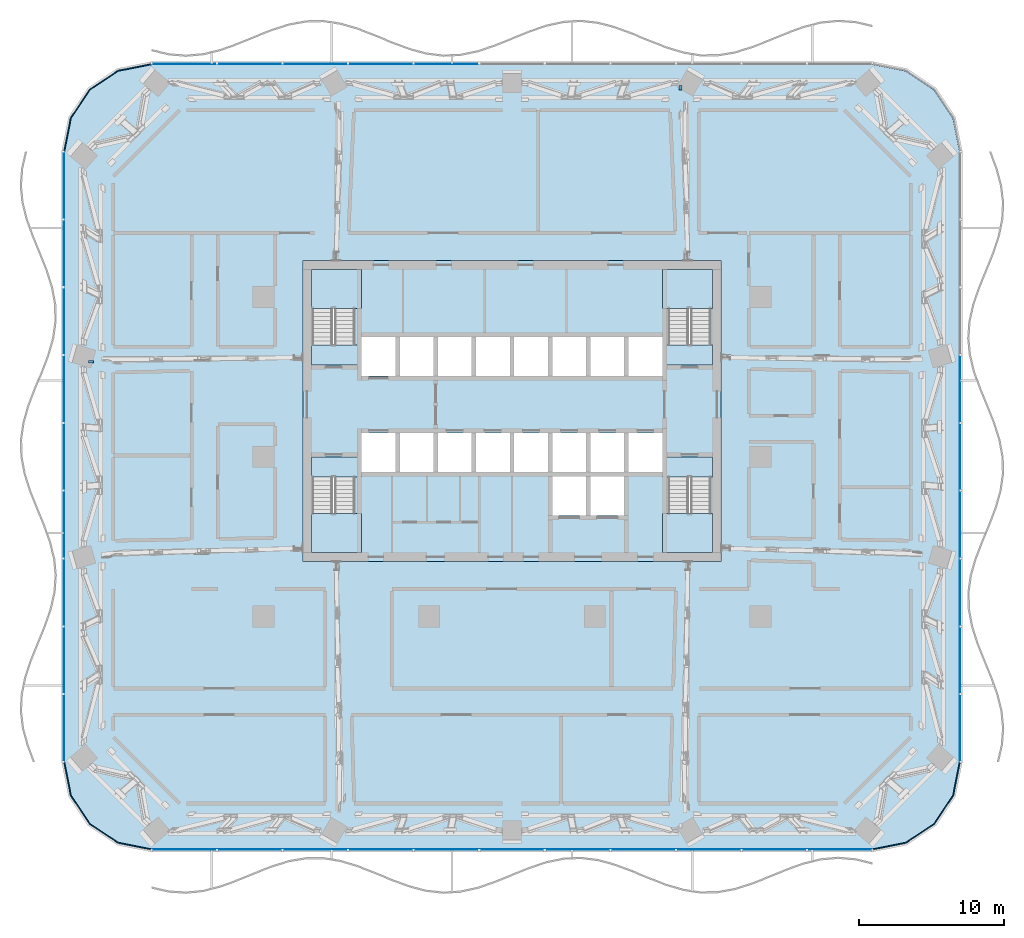
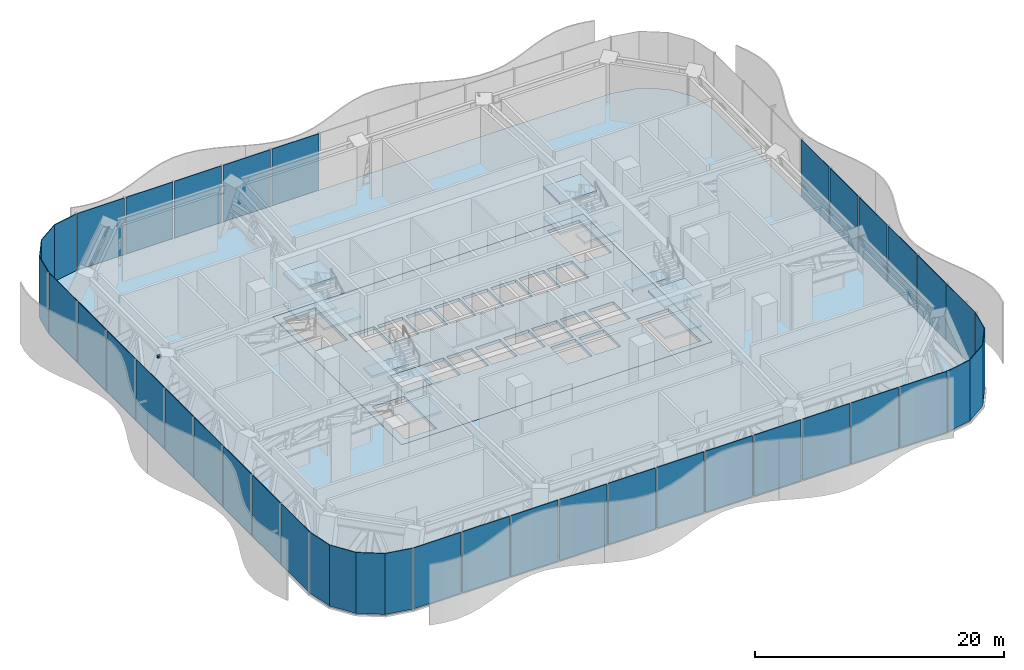
# One storey, part 9 of 32: 34 plates, 14 slabs, 2 beams, 11 elements without a shape of their own.
"""IFC4 building model written with IfcOpenShell, lengths in metres."""

import ifcopenshell
import ifcopenshell.guid

model = None  # the IFC model being written
_history = None  # IfcOwnerHistory: only IFC2X3 demands one
_inside = {}  # id of a spatial element -> (the spatial element, [elements in it])
_under = {}  # id of a project, library or spatial element -> (it, [spatial elements below it])
_declared = {}  # id of a project -> (the project, [libraries it declares])
_typed = {}  # id of a type object -> (the type object, [elements of that type])
_made_of = {}  # id of a material, layer set ... -> (it, [elements and type objects made of it])


def new_model(schema):
    """Start an empty IFC model of exactly this schema.

    Asked for "IFC4X3", IfcOpenShell would pick the latest addendum, in which some entities
    have other attributes; the version numbers below select the first issue.
    IFC2X3 requires an IfcOwnerHistory on every rooted entity: one is made here for all.
    """
    global model, _history
    if schema == "IFC4X3":
        model = ifcopenshell.file(schema_version=(4, 3, 0, 0))
    else:
        model = ifcopenshell.file(schema=schema)
    _inside.clear()
    _under.clear()
    _declared.clear()
    _typed.clear()
    _made_of.clear()
    _history = None
    if model.schema == "IFC2X3":
        org = make("IfcOrganization", Name="unknown")
        user = make(
            "IfcPersonAndOrganization",
            ThePerson=make("IfcPerson", FamilyName="unknown"),
            TheOrganization=org,
        )
        app = make(
            "IfcApplication",
            ApplicationDeveloper=org,
            Version="unknown",
            ApplicationFullName="unknown",
            ApplicationIdentifier="unknown",
        )
        _history = make(
            "IfcOwnerHistory",
            OwningUser=user,
            OwningApplication=app,
            ChangeAction="ADDED",
            CreationDate=0,
        )
    return model


def make(cls, **values):
    """One entity of the class cls with the attributes given. An attribute that is None is left unset."""
    return model.create_entity(
        cls, **{name: value for name, value in values.items() if value is not None}
    )


def rooted(cls, **values):
    """An entity with a GlobalId (a new one), such as an element, a storey or a relation."""
    return make(cls, GlobalId=ifcopenshell.guid.new(), OwnerHistory=_history, **values)


def si_unit(unit_type, name, prefix=None):
    """IfcSIUnit, for example si_unit("LENGTHUNIT", "METRE", prefix="MILLI")."""
    return make("IfcSIUnit", UnitType=unit_type, Prefix=prefix, Name=name)


def assignment(units):
    """IfcUnitAssignment: the units of a project."""
    return None if units is None else make("IfcUnitAssignment", Units=units)


def point(xyz):
    """IfcCartesianPoint."""
    return None if xyz is None else make("IfcCartesianPoint", Coordinates=xyz)


def direction(xyz):
    """IfcDirection."""
    return None if xyz is None else make("IfcDirection", DirectionRatios=xyz)


def frame(location, z_axis=None, x_axis=None):
    """IfcAxis2Placement3D, a coordinate frame: its origin and axes. An axis left out is left unset."""
    return make(
        "IfcAxis2Placement3D",
        Location=point(location),
        Axis=direction(z_axis),
        RefDirection=direction(x_axis),
    )


def frame_2d(location, x_axis=None):
    """IfcAxis2Placement2D, a coordinate frame in the plane: its origin and x axis."""
    return make(
        "IfcAxis2Placement2D", Location=point(location), RefDirection=direction(x_axis)
    )


def origin():
    """The frame at (0, 0, 0) with its axes left unset."""
    return frame((0.0, 0.0, 0.0))


def origin_2d():
    """The frame at (0, 0) in the plane with its x axis left unset."""
    return frame_2d((0.0, 0.0))


def place(relative_to, where):
    """IfcLocalPlacement: puts the frame where relative to a parent placement (None: the world)."""
    return make(
        "IfcLocalPlacement", PlacementRelTo=relative_to, RelativePlacement=where
    )


def context(
    kind, dimensions, precision=None, world=None, true_north=None, identifier=None
):
    """IfcGeometricRepresentationContext, for example the 3D "Model" context."""
    return make(
        "IfcGeometricRepresentationContext",
        ContextIdentifier=identifier,
        ContextType=kind,
        CoordinateSpaceDimension=dimensions,
        Precision=precision,
        WorldCoordinateSystem=world,
        TrueNorth=true_north,
    )


def subcontext(parent, identifier, kind, view, scale=None):
    """IfcGeometricRepresentationSubContext, for example "Body" below "Model"."""
    return make(
        "IfcGeometricRepresentationSubContext",
        ContextIdentifier=identifier,
        ContextType=kind,
        ParentContext=parent,
        TargetScale=scale,
        TargetView=view,
    )


def project(units=None, contexts=None):
    """IfcProject with its units and contexts."""
    return rooted(
        "IfcProject",
        Name="project",
        RepresentationContexts=contexts,
        UnitsInContext=assignment(units),
    )


def spatial(cls, under=None, at=None, **own):
    """A site, building, storey or space (cls), placed at a placement, below another one or the project."""
    s = rooted(cls, ObjectPlacement=at, **own)
    if under is not None:
        _under.setdefault(under.id(), (under, []))[1].append(s)
    return s


def polyline(points):
    """IfcPolyline through the points."""
    return make("IfcPolyline", Points=[point(p) for p in points])


def profile(cls, at=None, kind="AREA", **sizes):
    """A parametric profile (cls). Its sizes go by their IFC names, for example OverallWidth=200.0."""
    return make(cls, ProfileType=kind, Position=at, **sizes)


def rectangle(**sizes):
    """IfcRectangleProfileDef."""
    return profile("IfcRectangleProfileDef", **sizes)


def i_section(**sizes):
    """IfcIShapeProfileDef."""
    return profile("IfcIShapeProfileDef", **sizes)


def outline(outer, holes=None, kind="AREA"):
    """IfcArbitraryClosedProfileDef: a profile drawn as a closed curve; with holes, ...WithVoids."""
    if holes is None:
        return make("IfcArbitraryClosedProfileDef", ProfileType=kind, OuterCurve=outer)
    return make(
        "IfcArbitraryProfileDefWithVoids",
        ProfileType=kind,
        OuterCurve=outer,
        InnerCurves=holes,
    )


def extrude(swept, where, along, depth):
    """IfcExtrudedAreaSolid: the profile swept, set in the frame where, extruded along a direction by depth."""
    return make(
        "IfcExtrudedAreaSolid",
        SweptArea=swept,
        Position=where,
        ExtrudedDirection=direction(along),
        Depth=depth,
    )


def shape(context_of_items, identifier, shape_type, items):
    """IfcShapeRepresentation: the items that make up one representation, for example the "Body"."""
    return make(
        "IfcShapeRepresentation",
        ContextOfItems=context_of_items,
        RepresentationIdentifier=identifier,
        RepresentationType=shape_type,
        Items=items,
    )


def material(Name=None, Category=None):
    """IfcMaterial."""
    return make("IfcMaterial", Name=Name, Category=Category)


def layer(
    of_material, thickness, ventilated=None, Name=None, Category=None, Priority=None
):
    """IfcMaterialLayer: one layer of a wall or slab, of a material (None: an air gap)."""
    return make(
        "IfcMaterialLayer",
        Material=of_material,
        LayerThickness=thickness,
        IsVentilated=ventilated,
        Name=Name,
        Category=Category,
        Priority=Priority,
    )


def layer_set(layers, Name=None):
    """IfcMaterialLayerSet."""
    return make("IfcMaterialLayerSet", MaterialLayers=layers, LayerSetName=Name)


def material_profile(
    of_material, cross_section, Name=None, Category=None, Priority=None
):
    """IfcMaterialProfile: a cross section and its material."""
    return make(
        "IfcMaterialProfile",
        Name=Name,
        Material=of_material,
        Profile=cross_section,
        Priority=Priority,
        Category=Category,
    )


def profile_set(profiles, Name=None, composite=None):
    """IfcMaterialProfileSet."""
    return make(
        "IfcMaterialProfileSet",
        Name=Name,
        MaterialProfiles=profiles,
        CompositeProfile=composite,
    )


def made_of(thing, what):
    """Note that an element or type object is made of a material, layer set ...; save() writes the relation."""
    if what is not None:
        _made_of.setdefault(what.id(), (what, []))[1].append(thing)
    return thing


def type_object(cls, material=None, **own):
    """A type object (cls), such as IfcWallType, which elements share."""
    return made_of(rooted(cls, **own), material)


def element(
    cls,
    number,
    at=None,
    inside=None,
    cuts=None,
    type_object=None,
    material=None,
    context=None,
    identifier="Body",
    shape_type=None,
    held_by="IfcProductDefinitionShape",
    body=None,
    shapes=None,
    **own,
):
    """One element of the class cls, such as IfcWall. Its Tag is "e" and its number.

    at: its placement. inside: the storey or other place that contains it. cuts: it is an
    opening in that element (IfcRelVoidsElement). A single representation is given by context,
    identifier, shape_type and body (its items); several are given by shapes. held_by: the class
    of the entity that holds the representations. save() writes the other relations.
    """
    e = rooted(cls, Tag="e%d" % number, ObjectPlacement=at, **own)
    if body is not None:
        shapes = [shape(context, identifier, shape_type, body)]
    if shapes is not None:
        e.Representation = make(held_by, Representations=shapes)
    if inside is not None:
        _inside.setdefault(inside.id(), (inside, []))[1].append(e)
    if cuts is not None:
        rooted(
            "IfcRelVoidsElement", RelatingBuildingElement=cuts, RelatedOpeningElement=e
        )
    if type_object is not None:
        _typed.setdefault(type_object.id(), (type_object, []))[1].append(e)
    return made_of(e, material)


def aggregate(whole, parts):
    """IfcRelAggregates: a whole, such as a stair, and the parts it consists of."""
    return rooted("IfcRelAggregates", RelatingObject=whole, RelatedObjects=parts)


def save(model, path):
    """Write the relations noted so far, then the file.

    IfcRelAggregates (storeys below a building ...), IfcRelContainedInSpatialStructure (elements
    in a storey), IfcRelDefinesByType, IfcRelAssociatesMaterial and IfcRelDeclares: one each for
    every whole, place, type object, material and project.
    """
    for whole, parts in _under.values():
        aggregate(whole, parts)
    for where, things in _inside.values():
        rooted(
            "IfcRelContainedInSpatialStructure",
            RelatedElements=things,
            RelatingStructure=where,
        )
    for kind, things in _typed.values():
        rooted("IfcRelDefinesByType", RelatedObjects=things, RelatingType=kind)
    for what, things in _made_of.values():
        rooted("IfcRelAssociatesMaterial", RelatedObjects=things, RelatingMaterial=what)
    for by, libraries in _declared.values():
        rooted("IfcRelDeclares", RelatingContext=by, RelatedDefinitions=libraries)
    model.write(path)


model = new_model("IFC4")

# Units and contexts
model_context = context("Model", 3, precision=1e-05, world=origin(), true_north=direction((0.0, 1.0)))
body_context = subcontext(model_context, "Body", "Model", "MODEL_VIEW")
ifc_project = project(units=[si_unit("LENGTHUNIT", "METRE"), si_unit("AREAUNIT", "SQUARE_METRE"), si_unit("VOLUMEUNIT", "CUBIC_METRE"), si_unit("PLANEANGLEUNIT", "RADIAN"), si_unit("MASSUNIT", "GRAM", prefix="KILO")], contexts=[model_context])

# Site, building, storey
site_placement = place(None, origin())
site = spatial("IfcSite", under=ifc_project, at=site_placement, CompositionType="ELEMENT")
building_placement = place(site_placement, origin())
building = spatial("IfcBuilding", under=site, at=building_placement, Name="Mopane Tessera Tower", CompositionType="ELEMENT")
storey_placement = place(building_placement, frame((0.0, 0.0, 88.60009765625)))
storey = spatial("IfcBuildingStorey", under=building, at=storey_placement, Name="L17", CompositionType="ELEMENT", Elevation=88.60009765625)

# Beams
ifc_material_1 = material(Name="Structural steel S460", Category="steel")
ifc_material_profile = material_profile(ifc_material_1, i_section(OverallWidth=0.199951171875, OverallDepth=0.199951171875, WebThickness=0.009033203125, FlangeThickness=0.014892578125, FilletRadius=0.01806640625, at=origin_2d()))
ifc_profile_set = profile_set([ifc_material_profile], Name="Structural steel S460")
beam_type = type_object("IfcBeamType", Name="Terrace trimmer beam HE 200 B", PredefinedType="BEAM", material=ifc_profile_set)
for number, where, z_axis, x_axis, name in (
    (1, (11.590576171875, 25.24755859375, 5.449951171875), (0.0, 1.0, 0.0), (-1.0, 0.0, 0.0), "Terrace trimmer beam N1 L18"),
    (2, (-28.81640625, 6.53759765625, 5.449951171875), (-1.0, 0.0, 0.0), (0.0, -1.0, 0.0), "Terrace trimmer beam N2 L18"),
):
    element("IfcBeam", number, at=place(storey_placement, frame(where, z_axis=z_axis, x_axis=x_axis)), inside=storey, type_object=beam_type, Name=name, PredefinedType="BEAM", context=body_context, shape_type="SweptSolid", body=[
        extrude(i_section(OverallWidth=0.199951171875, OverallDepth=0.199951171875, WebThickness=0.009033203125, FlangeThickness=0.014892578125, FilletRadius=0.01806640625, at=origin_2d()), origin(), (0.0, 0.0, 1.0), 0.31494140625),
    ])

# Slab
ifc_material_2 = material(Name="Concrete C40/50", Category="concrete")
ifc_layer_1 = layer(ifc_material_2, 0.300048828125)
ifc_layer_set_1 = layer_set([ifc_layer_1], Name="Concrete C40/50")
slab_type_1 = type_object("IfcSlabType", Name="Core floor slab 300 mm", PredefinedType="FLOOR", material=ifc_layer_set_1)
slab_1_placement = place(storey_placement, frame((0.0, 0.0, -0.300048828125)))
element("IfcSlab", 3, at=slab_1_placement, inside=storey, type_object=slab_type_1, Name="L17 core floor slab", PredefinedType="FLOOR", context=body_context, shape_type="SweptSolid", body=[
    extrude(outline(polyline([(-14.39990234375, -7.199951171875), (14.39990234375, -7.199951171875), (14.39990234375, 13.5), (-14.39990234375, 13.5), (-14.39990234375, -7.199951171875)]), holes=[polyline([(-10.35009765625, -1.050048828125), (-8.02490234375, -1.050048828125), (-8.02490234375, 1.64990234375), (-10.35009765625, 1.64990234375), (-10.35009765625, -1.050048828125)]), polyline([(-7.72509765625, -1.050048828125), (-5.39990234375, -1.050048828125), (-5.39990234375, 1.64990234375), (-7.72509765625, 1.64990234375), (-7.72509765625, -1.050048828125)]), polyline([(-5.10009765625, -1.050048828125), (-2.77490234375, -1.050048828125), (-2.77490234375, 1.64990234375), (-5.10009765625, 1.64990234375), (-5.10009765625, -1.050048828125)]), polyline([(-2.47509765625, -1.050048828125), (-0.14990234375, -1.050048828125), (-0.14990234375, 1.64990234375), (-2.47509765625, 1.64990234375), (-2.47509765625, -1.050048828125)]), polyline([(0.14990234375, -1.050048828125), (2.47509765625, -1.050048828125), (2.47509765625, 1.64990234375), (0.14990234375, 1.64990234375), (0.14990234375, -1.050048828125)]), polyline([(2.77490234375, -1.050048828125), (5.10009765625, -1.050048828125), (5.10009765625, 1.64990234375), (2.77490234375, 1.64990234375), (2.77490234375, -1.050048828125)]), polyline([(5.39990234375, -1.050048828125), (7.72509765625, -1.050048828125), (7.72509765625, 1.64990234375), (5.39990234375, 1.64990234375), (5.39990234375, -1.050048828125)]), polyline([(8.02490234375, -1.050048828125), (10.35009765625, -1.050048828125), (10.35009765625, 1.64990234375), (8.02490234375, 1.64990234375), (8.02490234375, -1.050048828125)]), polyline([(-10.35009765625, 5.550048828125), (-8.02490234375, 5.550048828125), (-8.02490234375, 8.25), (-10.35009765625, 8.25), (-10.35009765625, 5.550048828125)]), polyline([(-7.72509765625, 5.550048828125), (-5.39990234375, 5.550048828125), (-5.39990234375, 8.25), (-7.72509765625, 8.25), (-7.72509765625, 5.550048828125)]), polyline([(-5.10009765625, 5.550048828125), (-2.77490234375, 5.550048828125), (-2.77490234375, 8.25), (-5.10009765625, 8.25), (-5.10009765625, 5.550048828125)]), polyline([(-2.47509765625, 5.550048828125), (-0.14990234375, 5.550048828125), (-0.14990234375, 8.25), (-2.47509765625, 8.25), (-2.47509765625, 5.550048828125)]), polyline([(0.14990234375, 5.550048828125), (2.47509765625, 5.550048828125), (2.47509765625, 8.25), (0.14990234375, 8.25), (0.14990234375, 5.550048828125)]), polyline([(2.77490234375, 5.550048828125), (5.10009765625, 5.550048828125), (5.10009765625, 8.25), (2.77490234375, 8.25), (2.77490234375, 5.550048828125)]), polyline([(5.39990234375, 5.550048828125), (7.72509765625, 5.550048828125), (7.72509765625, 8.25), (5.39990234375, 8.25), (5.39990234375, 5.550048828125)]), polyline([(8.02490234375, 5.550048828125), (10.35009765625, 5.550048828125), (10.35009765625, 8.25), (8.02490234375, 8.25), (8.02490234375, 5.550048828125)]), polyline([(2.77490234375, -4.050048828125), (5.10009765625, -4.050048828125), (5.10009765625, -1.35009765625), (2.77490234375, -1.35009765625), (2.77490234375, -4.050048828125)]), polyline([(5.39990234375, -4.050048828125), (7.72509765625, -4.050048828125), (7.72509765625, -1.35009765625), (5.39990234375, -1.35009765625), (5.39990234375, -4.050048828125)]), polyline([(-13.75, -1.405029296875), (-13.75, -6.60009765625), (-10.800048828125, -6.60009765625), (-10.800048828125, -1.405029296875), (-13.75, -1.405029296875)]), polyline([(-10.800048828125, 7.705078125), (-10.800048828125, 12.89990234375), (-13.75, 12.89990234375), (-13.75, 7.705078125), (-10.800048828125, 7.705078125)]), polyline([(10.75, -1.405029296875), (10.75, -6.60009765625), (13.699951171875, -6.60009765625), (13.699951171875, -1.405029296875), (10.75, -1.405029296875)]), polyline([(13.699951171875, 7.705078125), (13.699951171875, 12.89990234375), (10.75, 12.89990234375), (10.75, 7.705078125), (13.699951171875, 7.705078125)])]), origin(), (0.0, 0.0, 1.0), 0.300048828125),
])

# Stair, slabs
ifc_material_3 = material(Name="Concrete C50/60", Category="concrete")
stair_type = type_object("IfcStairType", Name="Escape stair 1400 mm, riser 150 mm", PredefinedType="HALF_TURN_STAIR", material=ifc_material_3)
stair_1_placement = place(storey_placement, origin())
stair_1 = element("IfcStair", 4, at=stair_1_placement, inside=storey, type_object=stair_type, Name="L17 Escape stair south-west", PredefinedType="HALF_TURN_STAIR")
ifc_material_4 = material(Name="Concrete C50/60", Category="concrete")
ifc_layer_2 = layer(ifc_material_4, 0.199951171875)
ifc_layer_set_2 = layer_set([ifc_layer_2], Name="Concrete C50/60")
slab_type_2 = type_object("IfcSlabType", Name="Escape stair landing 200 mm", PredefinedType="LANDING", material=ifc_layer_set_2)
slab_2_placement = place(storey_placement, frame((0.0, 0.0, 1.2998046875)))
slab_2 = element("IfcSlab", 5, at=slab_2_placement, type_object=slab_type_2, Name="ST1 landing 1", PredefinedType="LANDING", context=body_context, shape_type="SweptSolid", body=[
    extrude(outline(polyline([(-13.800048828125, -3.919921875), (-13.800048828125, -6.60009765625), (-10.35009765625, -6.60009765625), (-10.35009765625, -3.919921875), (-13.800048828125, -3.919921875)])), origin(), (0.0, 0.0, 1.0), 0.2001953125),
])
slab_3_placement = place(storey_placement, frame((0.0, 0.0, 2.7998046875)))
slab_3 = element("IfcSlab", 6, at=slab_3_placement, type_object=slab_type_2, Name="ST1 landing 2", PredefinedType="LANDING", context=body_context, shape_type="SweptSolid", body=[
    extrude(outline(polyline([(-13.800048828125, 0.0), (-13.800048828125, -1.39990234375), (-10.35009765625, -1.39990234375), (-10.35009765625, 0.0), (-13.800048828125, 0.0)])), origin(), (0.0, 0.0, 1.0), 0.2001953125),
])
slab_4_placement = place(storey_placement, frame((0.0, 0.0, 4.2998046875)))
slab_4 = element("IfcSlab", 7, at=slab_4_placement, type_object=slab_type_2, Name="ST1 landing 3", PredefinedType="LANDING", context=body_context, shape_type="SweptSolid", body=[
    extrude(outline(polyline([(-13.800048828125, -3.919921875), (-13.800048828125, -6.60009765625), (-10.35009765625, -6.60009765625), (-10.35009765625, -3.919921875), (-13.800048828125, -3.919921875)])), origin(), (0.0, 0.0, 1.0), 0.2001953125),
])
aggregate(stair_1, [slab_2, slab_3, slab_4])

stair_2_placement = place(storey_placement, origin())
stair_2 = element("IfcStair", 8, at=stair_2_placement, inside=storey, type_object=stair_type, Name="L17 Escape stair north-west", PredefinedType="HALF_TURN_STAIR")
slab_5_placement = place(storey_placement, frame((0.0, 0.0, 1.2998046875)))
slab_5 = element("IfcSlab", 9, at=slab_5_placement, type_object=slab_type_2, Name="ST2 landing 1", PredefinedType="LANDING", context=body_context, shape_type="SweptSolid", body=[
    extrude(outline(polyline([(-10.35009765625, 10.219970703125), (-10.35009765625, 12.89990234375), (-13.800048828125, 12.89990234375), (-13.800048828125, 10.219970703125), (-10.35009765625, 10.219970703125)])), origin(), (0.0, 0.0, 1.0), 0.2001953125),
])
slab_6_placement = place(storey_placement, frame((0.0, 0.0, 2.7998046875)))
slab_6 = element("IfcSlab", 10, at=slab_6_placement, type_object=slab_type_2, Name="ST2 landing 2", PredefinedType="LANDING", context=body_context, shape_type="SweptSolid", body=[
    extrude(outline(polyline([(-10.35009765625, 6.300048828125), (-10.35009765625, 7.699951171875), (-13.800048828125, 7.699951171875), (-13.800048828125, 6.300048828125), (-10.35009765625, 6.300048828125)])), origin(), (0.0, 0.0, 1.0), 0.2001953125),
])
slab_7_placement = place(storey_placement, frame((0.0, 0.0, 4.2998046875)))
slab_7 = element("IfcSlab", 11, at=slab_7_placement, type_object=slab_type_2, Name="ST2 landing 3", PredefinedType="LANDING", context=body_context, shape_type="SweptSolid", body=[
    extrude(outline(polyline([(-10.35009765625, 10.219970703125), (-10.35009765625, 12.89990234375), (-13.800048828125, 12.89990234375), (-13.800048828125, 10.219970703125), (-10.35009765625, 10.219970703125)])), origin(), (0.0, 0.0, 1.0), 0.2001953125),
])
aggregate(stair_2, [slab_5, slab_6, slab_7])

stair_3_placement = place(storey_placement, origin())
stair_3 = element("IfcStair", 12, at=stair_3_placement, inside=storey, type_object=stair_type, Name="L17 Escape stair south-east", PredefinedType="HALF_TURN_STAIR")
slab_8_placement = place(storey_placement, frame((0.0, 0.0, 1.2998046875)))
slab_8 = element("IfcSlab", 13, at=slab_8_placement, type_object=slab_type_2, Name="ST3 landing 1", PredefinedType="LANDING", context=body_context, shape_type="SweptSolid", body=[
    extrude(outline(polyline([(10.35009765625, -3.919921875), (10.35009765625, -6.60009765625), (13.800048828125, -6.60009765625), (13.800048828125, -3.919921875), (10.35009765625, -3.919921875)])), origin(), (0.0, 0.0, 1.0), 0.2001953125),
])
slab_9_placement = place(storey_placement, frame((0.0, 0.0, 2.7998046875)))
slab_9 = element("IfcSlab", 14, at=slab_9_placement, type_object=slab_type_2, Name="ST3 landing 2", PredefinedType="LANDING", context=body_context, shape_type="SweptSolid", body=[
    extrude(outline(polyline([(10.35009765625, 0.0), (10.35009765625, -1.39990234375), (13.800048828125, -1.39990234375), (13.800048828125, 0.0), (10.35009765625, 0.0)])), origin(), (0.0, 0.0, 1.0), 0.2001953125),
])
slab_10_placement = place(storey_placement, frame((0.0, 0.0, 4.2998046875)))
slab_10 = element("IfcSlab", 15, at=slab_10_placement, type_object=slab_type_2, Name="ST3 landing 3", PredefinedType="LANDING", context=body_context, shape_type="SweptSolid", body=[
    extrude(outline(polyline([(10.35009765625, -3.919921875), (10.35009765625, -6.60009765625), (13.800048828125, -6.60009765625), (13.800048828125, -3.919921875), (10.35009765625, -3.919921875)])), origin(), (0.0, 0.0, 1.0), 0.2001953125),
])
aggregate(stair_3, [slab_8, slab_9, slab_10])

stair_4_placement = place(storey_placement, origin())
stair_4 = element("IfcStair", 16, at=stair_4_placement, inside=storey, type_object=stair_type, Name="L17 Escape stair north-east", PredefinedType="HALF_TURN_STAIR")
slab_11_placement = place(storey_placement, frame((0.0, 0.0, 1.2998046875)))
slab_11 = element("IfcSlab", 17, at=slab_11_placement, type_object=slab_type_2, Name="ST4 landing 1", PredefinedType="LANDING", context=body_context, shape_type="SweptSolid", body=[
    extrude(outline(polyline([(13.800048828125, 10.219970703125), (13.800048828125, 12.89990234375), (10.35009765625, 12.89990234375), (10.35009765625, 10.219970703125), (13.800048828125, 10.219970703125)])), origin(), (0.0, 0.0, 1.0), 0.2001953125),
])
slab_12_placement = place(storey_placement, frame((0.0, 0.0, 2.7998046875)))
slab_12 = element("IfcSlab", 18, at=slab_12_placement, type_object=slab_type_2, Name="ST4 landing 2", PredefinedType="LANDING", context=body_context, shape_type="SweptSolid", body=[
    extrude(outline(polyline([(13.800048828125, 6.300048828125), (13.800048828125, 7.699951171875), (10.35009765625, 7.699951171875), (10.35009765625, 6.300048828125), (13.800048828125, 6.300048828125)])), origin(), (0.0, 0.0, 1.0), 0.2001953125),
])
slab_13_placement = place(storey_placement, frame((0.0, 0.0, 4.2998046875)))
slab_13 = element("IfcSlab", 19, at=slab_13_placement, type_object=slab_type_2, Name="ST4 landing 3", PredefinedType="LANDING", context=body_context, shape_type="SweptSolid", body=[
    extrude(outline(polyline([(13.800048828125, 10.219970703125), (13.800048828125, 12.89990234375), (10.35009765625, 12.89990234375), (10.35009765625, 10.219970703125), (13.800048828125, 10.219970703125)])), origin(), (0.0, 0.0, 1.0), 0.2001953125),
])
aggregate(stair_4, [slab_11, slab_12, slab_13])

# Slab
ifc_material_5 = material(Name="Concrete C40/50", Category="concrete")
ifc_layer_3 = layer(ifc_material_5, 0.60009765625)
ifc_layer_set_3 = layer_set([ifc_layer_3], Name="Concrete C40/50")
slab_type_3 = type_object("IfcSlabType", Name="Post-tensioned flat plate 600 mm", PredefinedType="FLOOR", material=ifc_layer_set_3)
slab_14_placement = place(storey_placement, frame((0.0, 0.0, -0.60009765625)))
element("IfcSlab", 20, at=slab_14_placement, inside=storey, type_object=slab_type_3, Name="Floor slab L17", PredefinedType="FLOOR", context=body_context, shape_type="SweptSolid", body=[
    extrude(outline(polyline([(-24.800048828125, -27.0), (24.800048828125, -27.0), (27.09619140625, -26.543212890625), (29.042724609375, -25.24267578125), (30.34326171875, -23.296142578125), (30.800048828125, -21.0), (30.800048828125, 21.0), (30.34326171875, 23.296142578125), (29.042724609375, 25.24267578125), (27.09619140625, 26.543212890625), (24.800048828125, 27.0), (-24.800048828125, 27.0), (-27.09619140625, 26.543212890625), (-29.042724609375, 25.24267578125), (-30.34326171875, 23.296142578125), (-30.800048828125, 21.0), (-30.800048828125, -21.0), (-30.34326171875, -23.296142578125), (-29.042724609375, -25.24267578125), (-27.09619140625, -26.543212890625), (-24.800048828125, -27.0)]), holes=[polyline([(14.39990234375, -7.199951171875), (-14.39990234375, -7.199951171875), (-14.39990234375, 13.5), (14.39990234375, 13.5), (14.39990234375, -7.199951171875)])]), origin(), (0.0, 0.0, 1.0), 0.60009765625),
])

# Curtain wall, plates
ifc_material_6 = material(Name="Aluminium frame", Category="aluminium")
curtain_wall_type = type_object("IfcCurtainWallType", Name="Plant floor unitised wall", PredefinedType="NOTDEFINED", material=ifc_material_6)
curtain_wall_1_placement = place(storey_placement, origin())
curtain_wall_1 = element("IfcCurtainWall", 21, at=curtain_wall_1_placement, inside=storey, type_object=curtain_wall_type, Name="e:cw:L17:S:0", PredefinedType="NOTDEFINED")
ifc_material_7 = material(Name="Limestone spandrel", Category="masonry")
ifc_layer_4 = layer(ifc_material_7, 0.06005859375)
ifc_layer_set_4 = layer_set([ifc_layer_4], Name="Limestone spandrel")
plate_type = type_object("IfcPlateType", Name="Stone spandrel unit", PredefinedType="CURTAIN_PANEL", material=ifc_layer_set_4)
plate_1_placement = place(storey_placement, frame((-22.54541015625, -27.030029296875, -0.419921875), z_axis=(0.0, 0.0, 1.0), x_axis=(1.0, 0.0, 0.0)))
plate_1 = element("IfcPlate", 22, at=plate_1_placement, type_object=plate_type, Name="e:cw:L17:S:0:pn0", PredefinedType="CURTAIN_PANEL", context=body_context, shape_type="SweptSolid", body=[
    extrude(rectangle(XDim=4.369140625, YDim=0.06005859375, at=origin_2d()), origin(), (0.0, 0.0, 1.0), 5.969970703125),
])
plate_2_placement = place(storey_placement, frame((-18.036376953125, -27.030029296875, -0.419921875), z_axis=(0.0, 0.0, 1.0), x_axis=(1.0, 0.0, 0.0)))
plate_2 = element("IfcPlate", 23, at=plate_2_placement, type_object=plate_type, Name="e:cw:L17:S:0:pn1", PredefinedType="CURTAIN_PANEL", context=body_context, shape_type="SweptSolid", body=[
    extrude(rectangle(XDim=4.369140625, YDim=0.06005859375, at=origin_2d()), origin(), (0.0, 0.0, 1.0), 5.969970703125),
])
plate_3_placement = place(storey_placement, frame((-13.52734375, -27.030029296875, -0.419921875), z_axis=(0.0, 0.0, 1.0), x_axis=(1.0, 0.0, 0.0)))
plate_3 = element("IfcPlate", 24, at=plate_3_placement, type_object=plate_type, Name="e:cw:L17:S:0:pn2", PredefinedType="CURTAIN_PANEL", context=body_context, shape_type="SweptSolid", body=[
    extrude(rectangle(XDim=4.369140625, YDim=0.06005859375, at=origin_2d()), origin(), (0.0, 0.0, 1.0), 5.969970703125),
])
plate_4_placement = place(storey_placement, frame((-9.01806640625, -27.030029296875, -0.419921875), z_axis=(0.0, 0.0, 1.0), x_axis=(1.0, 0.0, 0.0)))
plate_4 = element("IfcPlate", 25, at=plate_4_placement, type_object=plate_type, Name="e:cw:L17:S:0:pn3", PredefinedType="CURTAIN_PANEL", context=body_context, shape_type="SweptSolid", body=[
    extrude(rectangle(XDim=4.369140625, YDim=0.06005859375, at=origin_2d()), origin(), (0.0, 0.0, 1.0), 5.969970703125),
])
plate_5_placement = place(storey_placement, frame((-4.509033203125, -27.030029296875, -0.419921875), z_axis=(0.0, 0.0, 1.0), x_axis=(1.0, 0.0, 0.0)))
plate_5 = element("IfcPlate", 26, at=plate_5_placement, type_object=plate_type, Name="e:cw:L17:S:0:pn4", PredefinedType="CURTAIN_PANEL", context=body_context, shape_type="SweptSolid", body=[
    extrude(rectangle(XDim=4.369140625, YDim=0.06005859375, at=origin_2d()), origin(), (0.0, 0.0, 1.0), 5.969970703125),
])
plate_6_placement = place(storey_placement, frame((0.0, -27.030029296875, -0.419921875), z_axis=(0.0, 0.0, 1.0), x_axis=(1.0, 0.0, 0.0)))
plate_6 = element("IfcPlate", 27, at=plate_6_placement, type_object=plate_type, Name="e:cw:L17:S:0:pn5", PredefinedType="CURTAIN_PANEL", context=body_context, shape_type="SweptSolid", body=[
    extrude(rectangle(XDim=4.369140625, YDim=0.06005859375, at=origin_2d()), origin(), (0.0, 0.0, 1.0), 5.969970703125),
])
plate_7_placement = place(storey_placement, frame((4.509033203125, -27.030029296875, -0.419921875), z_axis=(0.0, 0.0, 1.0), x_axis=(1.0, 0.0, 0.0)))
plate_7 = element("IfcPlate", 28, at=plate_7_placement, type_object=plate_type, Name="e:cw:L17:S:0:pn6", PredefinedType="CURTAIN_PANEL", context=body_context, shape_type="SweptSolid", body=[
    extrude(rectangle(XDim=4.369140625, YDim=0.06005859375, at=origin_2d()), origin(), (0.0, 0.0, 1.0), 5.969970703125),
])
plate_8_placement = place(storey_placement, frame((9.01806640625, -27.030029296875, -0.419921875), z_axis=(0.0, 0.0, 1.0), x_axis=(1.0, 0.0, 0.0)))
plate_8 = element("IfcPlate", 29, at=plate_8_placement, type_object=plate_type, Name="e:cw:L17:S:0:pn7", PredefinedType="CURTAIN_PANEL", context=body_context, shape_type="SweptSolid", body=[
    extrude(rectangle(XDim=4.369140625, YDim=0.06005859375, at=origin_2d()), origin(), (0.0, 0.0, 1.0), 5.969970703125),
])
plate_9_placement = place(storey_placement, frame((13.52734375, -27.030029296875, -0.419921875), z_axis=(0.0, 0.0, 1.0), x_axis=(1.0, 0.0, 0.0)))
plate_9 = element("IfcPlate", 30, at=plate_9_placement, type_object=plate_type, Name="e:cw:L17:S:0:pn8", PredefinedType="CURTAIN_PANEL", context=body_context, shape_type="SweptSolid", body=[
    extrude(rectangle(XDim=4.369140625, YDim=0.06005859375, at=origin_2d()), origin(), (0.0, 0.0, 1.0), 5.969970703125),
])
plate_10_placement = place(storey_placement, frame((18.036376953125, -27.030029296875, -0.419921875), z_axis=(0.0, 0.0, 1.0), x_axis=(1.0, 0.0, 0.0)))
plate_10 = element("IfcPlate", 31, at=plate_10_placement, type_object=plate_type, Name="e:cw:L17:S:0:pn9", PredefinedType="CURTAIN_PANEL", context=body_context, shape_type="SweptSolid", body=[
    extrude(rectangle(XDim=4.369140625, YDim=0.06005859375, at=origin_2d()), origin(), (0.0, 0.0, 1.0), 5.969970703125),
])
plate_11_placement = place(storey_placement, frame((22.54541015625, -27.030029296875, -0.419921875), z_axis=(0.0, 0.0, 1.0), x_axis=(1.0, 0.0, 0.0)))
plate_11 = element("IfcPlate", 32, at=plate_11_placement, type_object=plate_type, Name="e:cw:L17:S:0:pn10", PredefinedType="CURTAIN_PANEL", context=body_context, shape_type="SweptSolid", body=[
    extrude(rectangle(XDim=4.369140625, YDim=0.06005859375, at=origin_2d()), origin(), (0.0, 0.0, 1.0), 5.969970703125),
])
aggregate(curtain_wall_1, [plate_1, plate_2, plate_3, plate_4, plate_5, plate_6, plate_7, plate_8, plate_9, plate_10, plate_11])

# Curtain wall, plate
curtain_wall_2_placement = place(storey_placement, origin())
curtain_wall_2 = element("IfcCurtainWall", 33, at=curtain_wall_2_placement, inside=storey, type_object=curtain_wall_type, Name="e:cw:L17:CS", PredefinedType="NOTDEFINED")
plate_12_placement = place(storey_placement, frame((0.0, 0.0, -0.420166015625)))
plate_12 = element("IfcPlate", 34, at=plate_12_placement, type_object=plate_type, Name="e:cw:L17:CS:pn", PredefinedType="CURTAIN_PANEL", context=body_context, shape_type="SweptSolid", body=[
    extrude(outline(polyline([(24.800048828125, -27.0), (27.09619140625, -26.543212890625), (29.042724609375, -25.24267578125), (30.34326171875, -23.296142578125), (30.800048828125, -21.0), (30.860107421875, -21.0), (30.398681640625, -23.319091796875), (29.0849609375, -25.28515625), (27.119140625, -26.5986328125), (24.800048828125, -27.06005859375), (24.800048828125, -27.0)])), origin(), (0.0, 0.0, 1.0), 5.969970703125),
])
aggregate(curtain_wall_2, [plate_12])

# Curtain wall, plates
curtain_wall_3_placement = place(storey_placement, origin())
curtain_wall_3 = element("IfcCurtainWall", 35, at=curtain_wall_3_placement, inside=storey, type_object=curtain_wall_type, Name="e:cw:L17:E:0", PredefinedType="NOTDEFINED")
plate_13_placement = place(storey_placement, frame((30.830078125, -18.666748046875, -0.419921875), z_axis=(0.0, 0.0, 1.0), x_axis=(0.0, 1.0, 0.0)))
plate_13 = element("IfcPlate", 36, at=plate_13_placement, type_object=plate_type, Name="e:cw:L17:E:0:pn0", PredefinedType="CURTAIN_PANEL", context=body_context, shape_type="SweptSolid", body=[
    extrude(rectangle(XDim=4.526611328125, YDim=0.06005859375, at=origin_2d()), origin(), (0.0, 0.0, 1.0), 5.969970703125),
])
plate_14_placement = place(storey_placement, frame((30.830078125, -14.0, -0.419921875), z_axis=(0.0, 0.0, 1.0), x_axis=(0.0, 1.0, 0.0)))
plate_14 = element("IfcPlate", 37, at=plate_14_placement, type_object=plate_type, Name="e:cw:L17:E:0:pn1", PredefinedType="CURTAIN_PANEL", context=body_context, shape_type="SweptSolid", body=[
    extrude(rectangle(XDim=4.526611328125, YDim=0.06005859375, at=origin_2d()), origin(), (0.0, 0.0, 1.0), 5.969970703125),
])
plate_15_placement = place(storey_placement, frame((30.830078125, -9.333251953125, -0.419921875), z_axis=(0.0, 0.0, 1.0), x_axis=(0.0, 1.0, 0.0)))
plate_15 = element("IfcPlate", 38, at=plate_15_placement, type_object=plate_type, Name="e:cw:L17:E:0:pn2", PredefinedType="CURTAIN_PANEL", context=body_context, shape_type="SweptSolid", body=[
    extrude(rectangle(XDim=4.526611328125, YDim=0.06005859375, at=origin_2d()), origin(), (0.0, 0.0, 1.0), 5.969970703125),
])
plate_16_placement = place(storey_placement, frame((30.830078125, -4.666748046875, -0.419921875), z_axis=(0.0, 0.0, 1.0), x_axis=(0.0, 1.0, 0.0)))
plate_16 = element("IfcPlate", 39, at=plate_16_placement, type_object=plate_type, Name="e:cw:L17:E:0:pn3", PredefinedType="CURTAIN_PANEL", context=body_context, shape_type="SweptSolid", body=[
    extrude(rectangle(XDim=4.526611328125, YDim=0.06005859375, at=origin_2d()), origin(), (0.0, 0.0, 1.0), 5.969970703125),
])
plate_17_placement = place(storey_placement, frame((30.830078125, 0.0, -0.419921875), z_axis=(0.0, 0.0, 1.0), x_axis=(0.0, 1.0, 0.0)))
plate_17 = element("IfcPlate", 40, at=plate_17_placement, type_object=plate_type, Name="e:cw:L17:E:0:pn4", PredefinedType="CURTAIN_PANEL", context=body_context, shape_type="SweptSolid", body=[
    extrude(rectangle(XDim=4.526611328125, YDim=0.06005859375, at=origin_2d()), origin(), (0.0, 0.0, 1.0), 5.969970703125),
])
plate_18_placement = place(storey_placement, frame((30.830078125, 4.666748046875, -0.419921875), z_axis=(0.0, 0.0, 1.0), x_axis=(0.0, 1.0, 0.0)))
plate_18 = element("IfcPlate", 41, at=plate_18_placement, type_object=plate_type, Name="e:cw:L17:E:0:pn5", PredefinedType="CURTAIN_PANEL", context=body_context, shape_type="SweptSolid", body=[
    extrude(rectangle(XDim=4.526611328125, YDim=0.06005859375, at=origin_2d()), origin(), (0.0, 0.0, 1.0), 5.969970703125),
])
aggregate(curtain_wall_3, [plate_13, plate_14, plate_15, plate_16, plate_17, plate_18])

curtain_wall_4_placement = place(storey_placement, origin())
curtain_wall_4 = element("IfcCurtainWall", 42, at=curtain_wall_4_placement, inside=storey, type_object=curtain_wall_type, Name="e:cw:L17:N:0", PredefinedType="NOTDEFINED")
plate_19_placement = place(storey_placement, frame((-4.509033203125, 27.030029296875, -0.419921875), z_axis=(0.0, 0.0, 1.0), x_axis=(-1.0, 0.0, 0.0)))
plate_19 = element("IfcPlate", 43, at=plate_19_placement, type_object=plate_type, Name="e:cw:L17:N:0:pn6", PredefinedType="CURTAIN_PANEL", context=body_context, shape_type="SweptSolid", body=[
    extrude(rectangle(XDim=4.369140625, YDim=0.06005859375, at=origin_2d()), origin(), (0.0, 0.0, 1.0), 5.969970703125),
])
plate_20_placement = place(storey_placement, frame((-9.01806640625, 27.030029296875, -0.419921875), z_axis=(0.0, 0.0, 1.0), x_axis=(-1.0, 0.0, 0.0)))
plate_20 = element("IfcPlate", 44, at=plate_20_placement, type_object=plate_type, Name="e:cw:L17:N:0:pn7", PredefinedType="CURTAIN_PANEL", context=body_context, shape_type="SweptSolid", body=[
    extrude(rectangle(XDim=4.369140625, YDim=0.06005859375, at=origin_2d()), origin(), (0.0, 0.0, 1.0), 5.969970703125),
])
plate_21_placement = place(storey_placement, frame((-13.52734375, 27.030029296875, -0.419921875), z_axis=(0.0, 0.0, 1.0), x_axis=(-1.0, 0.0, 0.0)))
plate_21 = element("IfcPlate", 45, at=plate_21_placement, type_object=plate_type, Name="e:cw:L17:N:0:pn8", PredefinedType="CURTAIN_PANEL", context=body_context, shape_type="SweptSolid", body=[
    extrude(rectangle(XDim=4.369140625, YDim=0.06005859375, at=origin_2d()), origin(), (0.0, 0.0, 1.0), 5.969970703125),
])
plate_22_placement = place(storey_placement, frame((-18.036376953125, 27.030029296875, -0.419921875), z_axis=(0.0, 0.0, 1.0), x_axis=(-1.0, 0.0, 0.0)))
plate_22 = element("IfcPlate", 46, at=plate_22_placement, type_object=plate_type, Name="e:cw:L17:N:0:pn9", PredefinedType="CURTAIN_PANEL", context=body_context, shape_type="SweptSolid", body=[
    extrude(rectangle(XDim=4.369140625, YDim=0.06005859375, at=origin_2d()), origin(), (0.0, 0.0, 1.0), 5.969970703125),
])
plate_23_placement = place(storey_placement, frame((-22.54541015625, 27.030029296875, -0.419921875), z_axis=(0.0, 0.0, 1.0), x_axis=(-1.0, 0.0, 0.0)))
plate_23 = element("IfcPlate", 47, at=plate_23_placement, type_object=plate_type, Name="e:cw:L17:N:0:pn10", PredefinedType="CURTAIN_PANEL", context=body_context, shape_type="SweptSolid", body=[
    extrude(rectangle(XDim=4.369140625, YDim=0.06005859375, at=origin_2d()), origin(), (0.0, 0.0, 1.0), 5.969970703125),
])
aggregate(curtain_wall_4, [plate_19, plate_20, plate_21, plate_22, plate_23])

# Curtain wall, plate
curtain_wall_5_placement = place(storey_placement, origin())
curtain_wall_5 = element("IfcCurtainWall", 48, at=curtain_wall_5_placement, inside=storey, type_object=curtain_wall_type, Name="e:cw:L17:CN", PredefinedType="NOTDEFINED")
plate_24_placement = place(storey_placement, frame((0.0, 0.0, -0.420166015625)))
plate_24 = element("IfcPlate", 49, at=plate_24_placement, type_object=plate_type, Name="e:cw:L17:CN:pn", PredefinedType="CURTAIN_PANEL", context=body_context, shape_type="SweptSolid", body=[
    extrude(outline(polyline([(-24.800048828125, 27.0), (-27.09619140625, 26.543212890625), (-29.042724609375, 25.24267578125), (-30.34326171875, 23.296142578125), (-30.800048828125, 21.0), (-30.860107421875, 21.0), (-30.398681640625, 23.319091796875), (-29.0849609375, 25.28515625), (-27.119140625, 26.5986328125), (-24.800048828125, 27.06005859375), (-24.800048828125, 27.0)])), origin(), (0.0, 0.0, 1.0), 5.969970703125),
])
aggregate(curtain_wall_5, [plate_24])

# Curtain wall, plates
curtain_wall_6_placement = place(storey_placement, origin())
curtain_wall_6 = element("IfcCurtainWall", 50, at=curtain_wall_6_placement, inside=storey, type_object=curtain_wall_type, Name="e:cw:L17:W:0", PredefinedType="NOTDEFINED")
plate_25_placement = place(storey_placement, frame((-30.830078125, 18.666748046875, -0.419921875), z_axis=(0.0, 0.0, 1.0), x_axis=(0.0, -1.0, 0.0)))
plate_25 = element("IfcPlate", 51, at=plate_25_placement, type_object=plate_type, Name="e:cw:L17:W:0:pn0", PredefinedType="CURTAIN_PANEL", context=body_context, shape_type="SweptSolid", body=[
    extrude(rectangle(XDim=4.526611328125, YDim=0.06005859375, at=origin_2d()), origin(), (0.0, 0.0, 1.0), 5.969970703125),
])
plate_26_placement = place(storey_placement, frame((-30.830078125, 14.0, -0.419921875), z_axis=(0.0, 0.0, 1.0), x_axis=(0.0, -1.0, 0.0)))
plate_26 = element("IfcPlate", 52, at=plate_26_placement, type_object=plate_type, Name="e:cw:L17:W:0:pn1", PredefinedType="CURTAIN_PANEL", context=body_context, shape_type="SweptSolid", body=[
    extrude(rectangle(XDim=4.526611328125, YDim=0.06005859375, at=origin_2d()), origin(), (0.0, 0.0, 1.0), 5.969970703125),
])
plate_27_placement = place(storey_placement, frame((-30.830078125, 9.333251953125, -0.419921875), z_axis=(0.0, 0.0, 1.0), x_axis=(0.0, -1.0, 0.0)))
plate_27 = element("IfcPlate", 53, at=plate_27_placement, type_object=plate_type, Name="e:cw:L17:W:0:pn2", PredefinedType="CURTAIN_PANEL", context=body_context, shape_type="SweptSolid", body=[
    extrude(rectangle(XDim=4.526611328125, YDim=0.06005859375, at=origin_2d()), origin(), (0.0, 0.0, 1.0), 5.969970703125),
])
plate_28_placement = place(storey_placement, frame((-30.830078125, 4.666748046875, -0.419921875), z_axis=(0.0, 0.0, 1.0), x_axis=(0.0, -1.0, 0.0)))
plate_28 = element("IfcPlate", 54, at=plate_28_placement, type_object=plate_type, Name="e:cw:L17:W:0:pn3", PredefinedType="CURTAIN_PANEL", context=body_context, shape_type="SweptSolid", body=[
    extrude(rectangle(XDim=4.526611328125, YDim=0.06005859375, at=origin_2d()), origin(), (0.0, 0.0, 1.0), 5.969970703125),
])
plate_29_placement = place(storey_placement, frame((-30.830078125, 0.0, -0.419921875), z_axis=(0.0, 0.0, 1.0), x_axis=(0.0, -1.0, 0.0)))
plate_29 = element("IfcPlate", 55, at=plate_29_placement, type_object=plate_type, Name="e:cw:L17:W:0:pn4", PredefinedType="CURTAIN_PANEL", context=body_context, shape_type="SweptSolid", body=[
    extrude(rectangle(XDim=4.526611328125, YDim=0.06005859375, at=origin_2d()), origin(), (0.0, 0.0, 1.0), 5.969970703125),
])
plate_30_placement = place(storey_placement, frame((-30.830078125, -4.666748046875, -0.419921875), z_axis=(0.0, 0.0, 1.0), x_axis=(0.0, -1.0, 0.0)))
plate_30 = element("IfcPlate", 56, at=plate_30_placement, type_object=plate_type, Name="e:cw:L17:W:0:pn5", PredefinedType="CURTAIN_PANEL", context=body_context, shape_type="SweptSolid", body=[
    extrude(rectangle(XDim=4.526611328125, YDim=0.06005859375, at=origin_2d()), origin(), (0.0, 0.0, 1.0), 5.969970703125),
])
plate_31_placement = place(storey_placement, frame((-30.830078125, -9.333251953125, -0.419921875), z_axis=(0.0, 0.0, 1.0), x_axis=(0.0, -1.0, 0.0)))
plate_31 = element("IfcPlate", 57, at=plate_31_placement, type_object=plate_type, Name="e:cw:L17:W:0:pn6", PredefinedType="CURTAIN_PANEL", context=body_context, shape_type="SweptSolid", body=[
    extrude(rectangle(XDim=4.526611328125, YDim=0.06005859375, at=origin_2d()), origin(), (0.0, 0.0, 1.0), 5.969970703125),
])
plate_32_placement = place(storey_placement, frame((-30.830078125, -14.0, -0.419921875), z_axis=(0.0, 0.0, 1.0), x_axis=(0.0, -1.0, 0.0)))
plate_32 = element("IfcPlate", 58, at=plate_32_placement, type_object=plate_type, Name="e:cw:L17:W:0:pn7", PredefinedType="CURTAIN_PANEL", context=body_context, shape_type="SweptSolid", body=[
    extrude(rectangle(XDim=4.526611328125, YDim=0.06005859375, at=origin_2d()), origin(), (0.0, 0.0, 1.0), 5.969970703125),
])
plate_33_placement = place(storey_placement, frame((-30.830078125, -18.666748046875, -0.419921875), z_axis=(0.0, 0.0, 1.0), x_axis=(0.0, -1.0, 0.0)))
plate_33 = element("IfcPlate", 59, at=plate_33_placement, type_object=plate_type, Name="e:cw:L17:W:0:pn8", PredefinedType="CURTAIN_PANEL", context=body_context, shape_type="SweptSolid", body=[
    extrude(rectangle(XDim=4.526611328125, YDim=0.06005859375, at=origin_2d()), origin(), (0.0, 0.0, 1.0), 5.969970703125),
])
aggregate(curtain_wall_6, [plate_25, plate_26, plate_27, plate_28, plate_29, plate_30, plate_31, plate_32, plate_33])

# Curtain wall, plate
curtain_wall_7_placement = place(storey_placement, origin())
curtain_wall_7 = element("IfcCurtainWall", 60, at=curtain_wall_7_placement, inside=storey, type_object=curtain_wall_type, Name="e:cw:L17:CW", PredefinedType="NOTDEFINED")
plate_34_placement = place(storey_placement, frame((0.0, 0.0, -0.420166015625)))
plate_34 = element("IfcPlate", 61, at=plate_34_placement, type_object=plate_type, Name="e:cw:L17:CW:pn", PredefinedType="CURTAIN_PANEL", context=body_context, shape_type="SweptSolid", body=[
    extrude(outline(polyline([(-30.800048828125, -21.0), (-30.34326171875, -23.296142578125), (-29.042724609375, -25.24267578125), (-27.09619140625, -26.543212890625), (-24.800048828125, -27.0), (-24.800048828125, -27.06005859375), (-27.119140625, -26.5986328125), (-29.0849609375, -25.28515625), (-30.398681640625, -23.319091796875), (-30.860107421875, -21.0), (-30.800048828125, -21.0)])), origin(), (0.0, 0.0, 1.0), 5.969970703125),
])
aggregate(curtain_wall_7, [plate_34])

save(model, "model.ifc")
